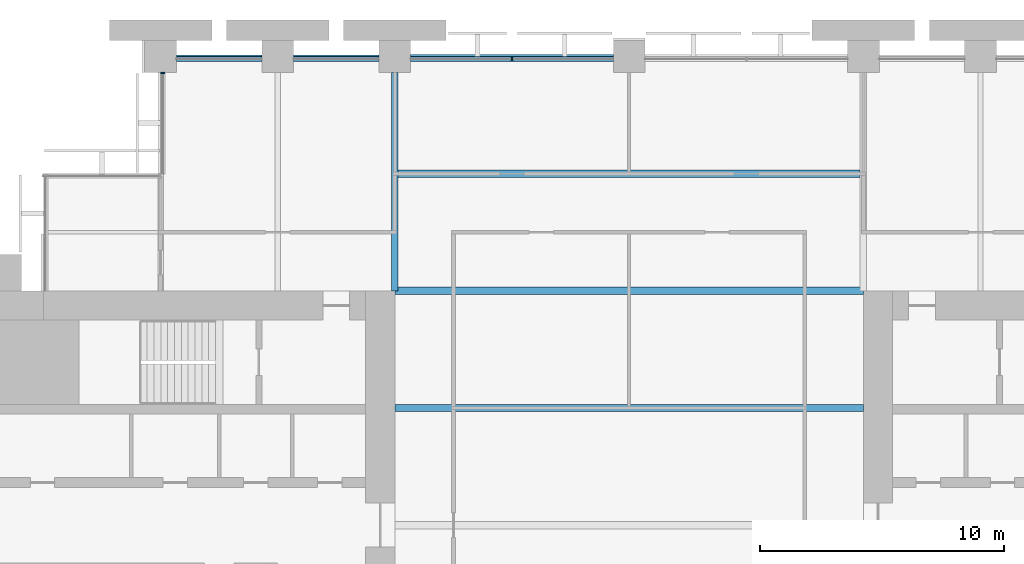
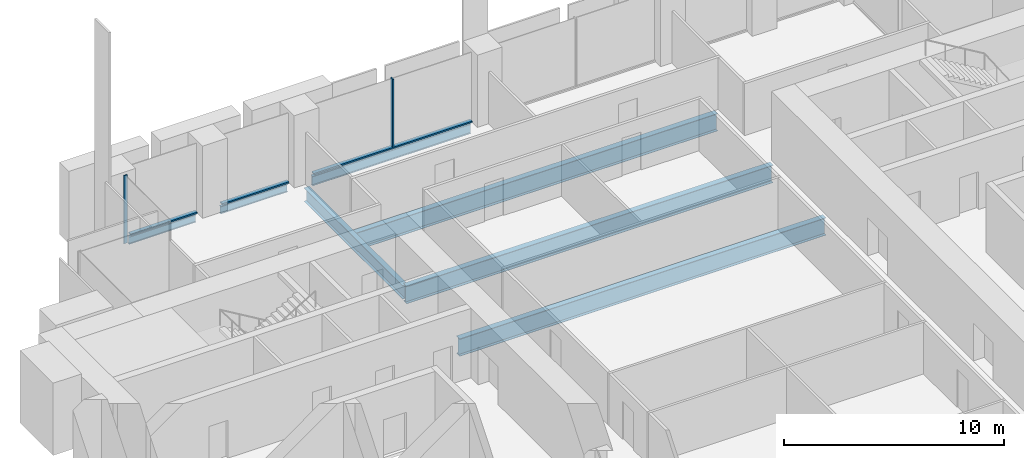
# One storey, part 6 of 14: 7 beams, 5 members, 2 elements without a shape of their own.
"""IFC4 building model written with IfcOpenShell, lengths in metres."""

from ifc_helpers import new_model, si_unit, direction, frame, origin, origin_2d, place, context, subcontext, project, spatial, rectangle, i_section, extrude, material, material_profile, profile_set, type_object, element, aggregate, save


model = new_model("IFC4")

# Units and contexts
model_context = context("Model", 3, precision=1e-05, world=origin(), true_north=direction((0.0, 1.0)))
body_context = subcontext(model_context, "Body", "Model", "MODEL_VIEW")
ifc_project = project(units=[si_unit("LENGTHUNIT", "METRE"), si_unit("AREAUNIT", "SQUARE_METRE"), si_unit("VOLUMEUNIT", "CUBIC_METRE"), si_unit("PLANEANGLEUNIT", "RADIAN"), si_unit("MASSUNIT", "GRAM", prefix="KILO")], contexts=[model_context])

# Site, building, storey
site_placement = place(None, origin())
site = spatial("IfcSite", under=ifc_project, at=site_placement, CompositionType="ELEMENT")
building_placement = place(site_placement, origin())
building = spatial("IfcBuilding", under=site, at=building_placement, Name="Baori Bourse Tower", CompositionType="ELEMENT")
storey_placement = place(building_placement, frame((0.0, 0.0, 51.0)))
storey = spatial("IfcBuildingStorey", under=building, at=storey_placement, Name="L10", CompositionType="ELEMENT", Elevation=51.0)

# Curtain wall, members
ifc_material_1 = material(Name="Pale anodised aluminium", Category="aluminium")
curtain_wall_type_1 = type_object("IfcCurtainWallType", Name="CW1 Curtain wall", PredefinedType="NOTDEFINED", material=ifc_material_1)
curtain_wall_1_placement = place(storey_placement, origin())
curtain_wall_1 = element("IfcCurtainWall", 1, at=curtain_wall_1_placement, inside=storey, type_object=curtain_wall_type_1, Name="Curtain wall CW1 L10 4", PredefinedType="NOTDEFINED")
ifc_material_2 = material(Name="Pale anodised aluminium", Category="aluminium")
ifc_material_profile_1 = material_profile(ifc_material_2, rectangle(XDim=0.199951171875, YDim=0.06005859375, at=origin_2d()), Name="Mullion 60x200")
ifc_profile_set_1 = profile_set([ifc_material_profile_1], Name="Pale anodised aluminium")
member_type_1 = type_object("IfcMemberType", Name="CW1 Curtain wall mullion", PredefinedType="MULLION", material=ifc_profile_set_1)
member_1_placement = place(storey_placement, frame((24.0, 47.89990234375, 0.080078125), z_axis=(0.0, 0.0, 1.0), x_axis=(0.0, -1.0, 0.0)))
member_1 = element("IfcMember", 2, at=member_1_placement, type_object=member_type_1, Name="Curtain wall CW1 mullion", PredefinedType="MULLION", context=body_context, shape_type="SweptSolid", body=[
    extrude(rectangle(XDim=0.199951171875, YDim=0.06005859375, at=origin_2d()), origin(), (0.0, 0.0, 1.0), 3.760009765625),
])
ifc_material_3 = material(Name="Pale anodised aluminium", Category="aluminium")
ifc_material_profile_2 = material_profile(ifc_material_3, rectangle(XDim=0.199951171875, YDim=0.080078125, at=origin_2d()), Name="Transom 80x200")
ifc_profile_set_2 = profile_set([ifc_material_profile_2], Name="Pale anodised aluminium")
member_type_2 = type_object("IfcMemberType", Name="CW1 Curtain wall transom", PredefinedType="USERDEFINED", material=ifc_profile_set_2)
member_2_placement = place(storey_placement, frame((28.14990234375, 47.89990234375, 0.0400390625), z_axis=(-1.0, 0.0, 0.0), x_axis=(0.0, -1.0, 0.0)))
member_2 = element("IfcMember", 3, at=member_2_placement, type_object=member_type_2, Name="Curtain wall CW1 sill rail", ObjectType="TRANSOM", PredefinedType="USERDEFINED", context=body_context, shape_type="SweptSolid", body=[
    extrude(rectangle(XDim=0.199951171875, YDim=0.080078125, at=origin_2d()), origin(), (0.0, 0.0, 1.0), 8.2998046875),
])
member_3_placement = place(storey_placement, frame((18.550048828125, 47.89990234375, 0.0400390625), z_axis=(-1.0, 0.0, 0.0), x_axis=(0.0, -1.0, 0.0)))
member_3 = element("IfcMember", 4, at=member_3_placement, type_object=member_type_2, Name="Curtain wall CW1 sill rail", ObjectType="TRANSOM", PredefinedType="USERDEFINED", context=body_context, shape_type="SweptSolid", body=[
    extrude(rectangle(XDim=0.199951171875, YDim=0.080078125, at=origin_2d()), origin(), (0.0, 0.0, 1.0), 3.5),
])
member_4_placement = place(storey_placement, frame((13.75, 47.89990234375, 0.0400390625), z_axis=(-1.0, 0.0, 0.0), x_axis=(0.0, -1.0, 0.0)))
member_4 = element("IfcMember", 5, at=member_4_placement, type_object=member_type_2, Name="Curtain wall CW1 sill rail", ObjectType="TRANSOM", PredefinedType="USERDEFINED", context=body_context, shape_type="SweptSolid", body=[
    extrude(rectangle(XDim=0.199951171875, YDim=0.080078125, at=origin_2d()), origin(), (0.0, 0.0, 1.0), 3.5),
])
aggregate(curtain_wall_1, [member_2, member_1, member_3, member_4])

# Curtain wall, member
ifc_material_4 = material(Name="Pale anodised aluminium", Category="aluminium")
curtain_wall_type_2 = type_object("IfcCurtainWallType", Name="CW2 Curtain wall", PredefinedType="NOTDEFINED", material=ifc_material_4)
curtain_wall_2_placement = place(storey_placement, origin())
curtain_wall_2 = element("IfcCurtainWall", 6, at=curtain_wall_2_placement, inside=storey, type_object=curtain_wall_type_2, Name="Curtain wall CW2 L10 5", PredefinedType="NOTDEFINED")
ifc_material_5 = material(Name="Pale anodised aluminium", Category="aluminium")
ifc_material_profile_3 = material_profile(ifc_material_5, rectangle(XDim=0.179931640625, YDim=0.054931640625, at=origin_2d()), Name="Mullion 55x180")
ifc_profile_set_3 = profile_set([ifc_material_profile_3], Name="Pale anodised aluminium")
member_type_3 = type_object("IfcMemberType", Name="CW2 Curtain wall mullion", PredefinedType="MULLION", material=ifc_profile_set_3)
member_5_placement = place(storey_placement, frame((9.68994140625, 47.322509765625, 0.070068359375), z_axis=(0.0, 0.0, 1.0), x_axis=(1.0, 0.0, 0.0)))
member_5 = element("IfcMember", 7, at=member_5_placement, type_object=member_type_3, Name="Curtain wall CW2 mullion", PredefinedType="MULLION", context=body_context, shape_type="SweptSolid", body=[
    extrude(rectangle(XDim=0.179931640625, YDim=0.054931640625, at=origin_2d()), origin(), (0.0, 0.0, 1.0), 3.77001953125),
])
aggregate(curtain_wall_2, [member_5])

# Beams
ifc_material_6 = material(Name="Steel A992 Gr 50", Category="steel")
ifc_material_profile_4 = material_profile(ifc_material_6, i_section(OverallWidth=0.140380859375, OverallDepth=0.40380859375, WebThickness=0.007080078125, FlangeThickness=0.01123046875, at=origin_2d()), Name="W16x31")
ifc_profile_set_4 = profile_set([ifc_material_profile_4], Name="Steel A992 Gr 50")
beam_type_1 = type_object("IfcBeamType", Name="Edge beam W16x31", PredefinedType="BEAM", material=ifc_profile_set_4)
for number, where, z_axis, x_axis, name in (
    (8, (10.25, 48.0, -0.36181640625), (1.0, 0.0, 0.0), (0.0, 1.0, 0.0), "Edge beam L10"),
    (9, (15.050048828125, 48.0, -0.36181640625), (1.0, 0.0, 0.0), (0.0, 1.0, 0.0), "Edge beam L10"),
):
    element("IfcBeam", number, at=place(storey_placement, frame(where, z_axis=z_axis, x_axis=x_axis)), inside=storey, type_object=beam_type_1, Name=name, PredefinedType="BEAM", context=body_context, shape_type="SweptSolid", body=[
        extrude(i_section(OverallWidth=0.140380859375, OverallDepth=0.40380859375, WebThickness=0.007080078125, FlangeThickness=0.01123046875, at=origin_2d()), origin(), (0.0, 0.0, 1.0), 3.5),
    ])
ifc_material_7 = material(Name="Steel A992 Gr 50", Category="steel")
ifc_material_profile_5 = material_profile(ifc_material_7, i_section(OverallWidth=0.1650390625, OverallDepth=0.52587890625, WebThickness=0.0087890625, FlangeThickness=0.011474609375, at=origin_2d()), Name="W21x44")
ifc_profile_set_5 = profile_set([ifc_material_profile_5], Name="Steel A992 Gr 50")
beam_type_2 = type_object("IfcBeamType", Name="Edge beam W21x44", PredefinedType="BEAM", material=ifc_profile_set_5)
beam_1_placement = place(storey_placement, frame((19.85009765625, 48.0, -0.4228515625), z_axis=(1.0, 0.0, 0.0), x_axis=(0.0, 1.0, 0.0)))
element("IfcBeam", 10, at=beam_1_placement, inside=storey, type_object=beam_type_2, Name="Edge beam L10", PredefinedType="BEAM", context=body_context, shape_type="SweptSolid", body=[
    extrude(i_section(OverallWidth=0.1650390625, OverallDepth=0.52587890625, WebThickness=0.0087890625, FlangeThickness=0.011474609375, at=origin_2d()), origin(), (0.0, 0.0, 1.0), 8.2998046875),
])
ifc_material_8 = material(Name="Steel A992 Gr 50", Category="steel")
ifc_material_profile_6 = material_profile(ifc_material_8, i_section(OverallWidth=0.2998046875, OverallDepth=0.97021484375, WebThickness=0.01611328125, FlangeThickness=0.02099609375, at=origin_2d()), Name="W40x149")
ifc_profile_set_6 = profile_set([ifc_material_profile_6], Name="Steel A992 Gr 50")
beam_type_3 = type_object("IfcBeamType", Name="Floor beam W40x149", PredefinedType="BEAM", material=ifc_profile_set_6)
for number, where, z_axis, x_axis, name in (
    (11, (19.199951171875, 33.60009765625, -0.64501953125), (1.0, 0.0, 0.0), (0.0, 1.0, 0.0), "Floor beam L10"),
    (12, (19.199951171875, 38.39990234375, -0.64501953125), (1.0, 0.0, 0.0), (0.0, 1.0, 0.0), "Floor beam L10"),
):
    element("IfcBeam", number, at=place(storey_placement, frame(where, z_axis=z_axis, x_axis=x_axis)), inside=storey, type_object=beam_type_3, Name=name, PredefinedType="BEAM", context=body_context, shape_type="SweptSolid", body=[
        extrude(i_section(OverallWidth=0.2998046875, OverallDepth=0.97021484375, WebThickness=0.01611328125, FlangeThickness=0.02099609375, at=origin_2d()), origin(), (0.0, 0.0, 1.0), 19.199951171875),
    ])
beam_2_placement = place(storey_placement, frame((19.333251953125, 43.199951171875, -0.64501953125), z_axis=(1.0, 0.0, 0.0), x_axis=(0.0, 1.0, 0.0)))
element("IfcBeam", 13, at=beam_2_placement, inside=storey, type_object=beam_type_3, Name="Floor beam L10", PredefinedType="BEAM", context=body_context, shape_type="SweptSolid", body=[
    extrude(i_section(OverallWidth=0.2998046875, OverallDepth=0.97021484375, WebThickness=0.01611328125, FlangeThickness=0.02099609375, at=origin_2d()), origin(), (0.0, 0.0, 1.0), 18.933349609375),
])
ifc_material_9 = material(Name="Steel A992 Gr 50", Category="steel")
ifc_material_profile_7 = material_profile(ifc_material_9, i_section(OverallWidth=0.2666015625, OverallDepth=0.7568359375, WebThickness=0.013916015625, FlangeThickness=0.019287109375, at=origin_2d()), Name="W30x108")
ifc_profile_set_7 = profile_set([ifc_material_profile_7], Name="Steel A992 Gr 50")
beam_type_4 = type_object("IfcBeamType", Name="Girder W30x108", PredefinedType="BEAM", material=ifc_profile_set_7)
beam_3_placement = place(storey_placement, frame((19.199951171875, 38.39990234375, -0.53857421875), z_axis=(0.0, 1.0, 0.0), x_axis=(-1.0, 0.0, 0.0)))
element("IfcBeam", 14, at=beam_3_placement, inside=storey, type_object=beam_type_4, Name="Girder L10", PredefinedType="BEAM", context=body_context, shape_type="SweptSolid", body=[
    extrude(i_section(OverallWidth=0.2666015625, OverallDepth=0.7568359375, WebThickness=0.013916015625, FlangeThickness=0.019287109375, at=origin_2d()), origin(), (0.0, 0.0, 1.0), 8.9501953125),
])

save(model, "model.ifc")
